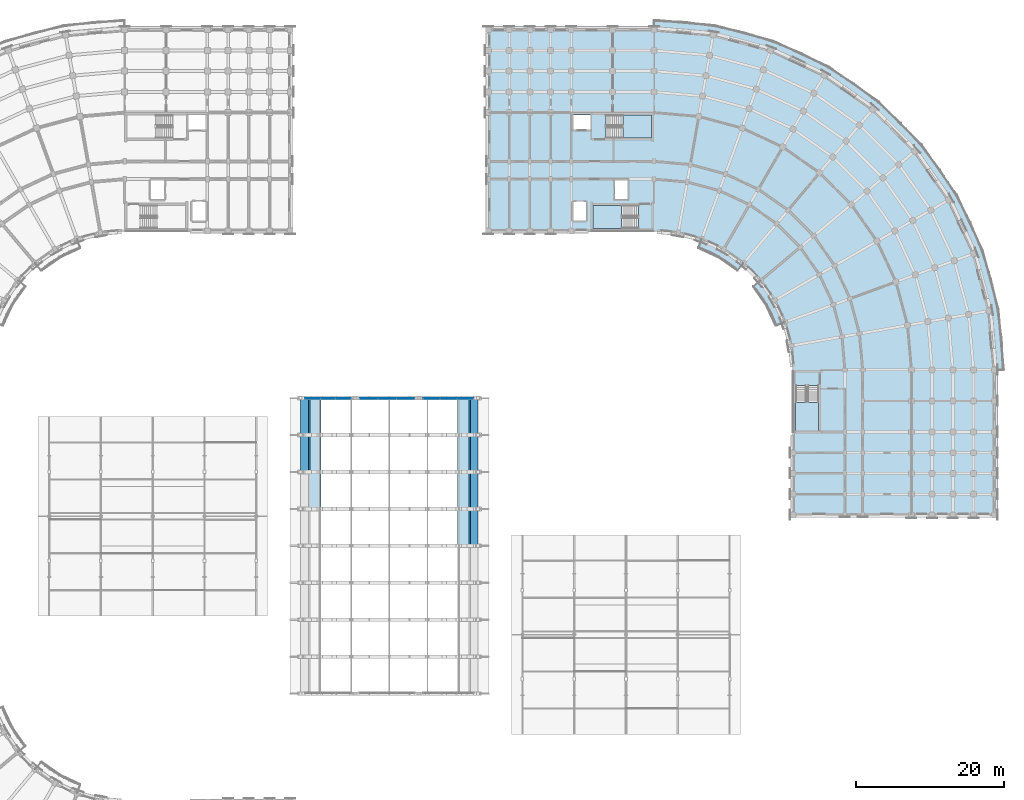
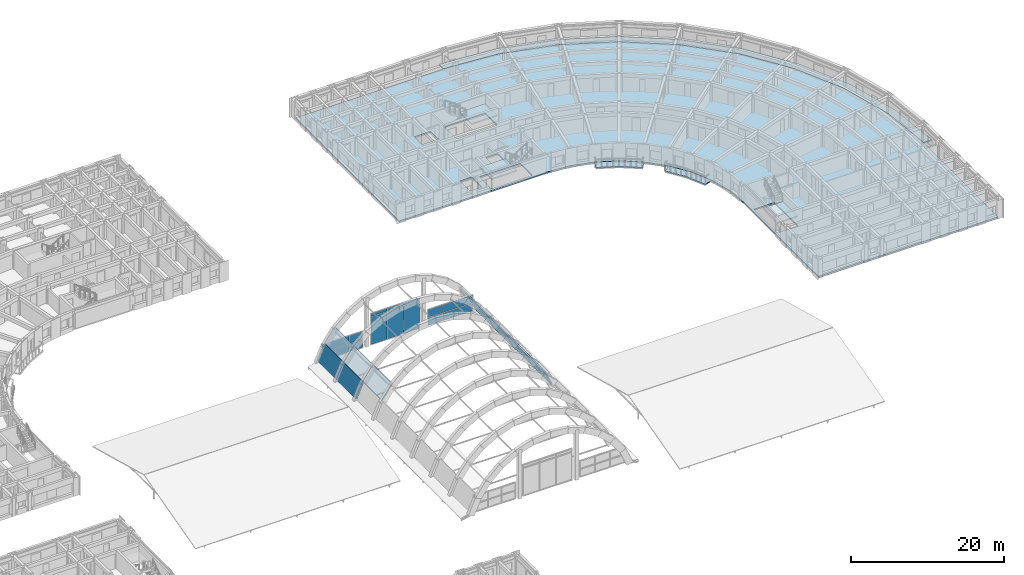
# One storey, part 28 of 76: 20 slabs, 18 plates, 7 elements without a shape of their own.
"""IFC4 building model written with IfcOpenShell, lengths in metres."""

from ifc_helpers import new_model, si_unit, direction, frame, origin, origin_2d, place, context, subcontext, project, spatial, polyline, rectangle, outline, extrude, material, layer, layer_set, type_object, element, aggregate, save


model = new_model("IFC4")

# Units and contexts
model_context = context("Model", 3, precision=1e-05, world=origin(), true_north=direction((0.0, 1.0)))
body_context = subcontext(model_context, "Body", "Model", "MODEL_VIEW")
ifc_project = project(units=[si_unit("LENGTHUNIT", "METRE"), si_unit("AREAUNIT", "SQUARE_METRE"), si_unit("VOLUMEUNIT", "CUBIC_METRE"), si_unit("PLANEANGLEUNIT", "RADIAN"), si_unit("MASSUNIT", "GRAM", prefix="KILO")], contexts=[model_context])

# Site, building, storey
site_placement = place(None, origin())
site = spatial("IfcSite", under=ifc_project, at=site_placement, CompositionType="ELEMENT")
building_placement = place(site_placement, origin())
building = spatial("IfcBuilding", under=site, at=building_placement, Name="Kiranvali Square Residences", CompositionType="ELEMENT")
storey_placement = place(building_placement, frame((0.0, 0.0, 8.699951171875)))
storey = spatial("IfcBuildingStorey", under=building, at=storey_placement, Name="L02", CompositionType="ELEMENT", Elevation=8.699951171875)

# Curtain wall, plates
ifc_material_1 = material(Name="Anodised bronze aluminium framing", Category="aluminium")
curtain_wall_type = type_object("IfcCurtainWallType", Name="CW-CH-TYM", PredefinedType="USERDEFINED", material=ifc_material_1)
curtain_wall_1_placement = place(storey_placement, origin())
curtain_wall_1 = element("IfcCurtainWall", 1, at=curtain_wall_1_placement, inside=storey, type_object=curtain_wall_type, Name="Community Hall N vaulted tympanum glazing 1", ObjectType="CURTAIN WALL", PredefinedType="USERDEFINED")
ifc_material_2 = material(Name="Solar-control low-e double glazing", Category="glass")
ifc_layer_1 = layer(ifc_material_2, 0.028076171875)
ifc_layer_set_1 = layer_set([ifc_layer_1], Name="Solar-control low-e double glazing")
plate_type = type_object("IfcPlateType", Name="PLT-CW-GLZ", PredefinedType="CURTAIN_PANEL", material=ifc_layer_set_1)
plate_1_placement = place(storey_placement, frame((73.63330078125, 83.919921875, 0.10009765625), z_axis=(0.0, 0.0, 1.0), x_axis=(1.0, 0.0, 0.0)))
plate_1 = element("IfcPlate", 2, at=plate_1_placement, type_object=plate_type, Name="CW-CH-TYM-N-1 glazed panel 1.1", PredefinedType="CURTAIN_PANEL", context=body_context, shape_type="SweptSolid", body=[
    extrude(rectangle(XDim=1.98681640625, YDim=0.028076171875, at=origin_2d()), origin(), (0.0, 0.0, 1.0), 1.219970703125),
])
plate_2_placement = place(storey_placement, frame((73.63330078125, 83.919921875, 1.39990234375), z_axis=(0.0, 0.0, 1.0), x_axis=(1.0, 0.0, 0.0)))
plate_2 = element("IfcPlate", 3, at=plate_2_placement, type_object=plate_type, Name="CW-CH-TYM-N-1 glazed panel 1.2", PredefinedType="CURTAIN_PANEL", context=body_context, shape_type="SweptSolid", body=[
    extrude(rectangle(XDim=1.98681640625, YDim=0.028076171875, at=origin_2d()), origin(), (0.0, 0.0, 1.0), 1.219970703125),
])
plate_3_placement = place(storey_placement, frame((75.699951171875, 83.919921875, 0.10009765625), z_axis=(0.0, 0.0, 1.0), x_axis=(1.0, 0.0, 0.0)))
plate_3 = element("IfcPlate", 4, at=plate_3_placement, type_object=plate_type, Name="CW-CH-TYM-N-1 glazed panel 2.1", PredefinedType="CURTAIN_PANEL", context=body_context, shape_type="SweptSolid", body=[
    extrude(rectangle(XDim=1.98681640625, YDim=0.028076171875, at=origin_2d()), origin(), (0.0, 0.0, 1.0), 1.219970703125),
])
plate_4_placement = place(storey_placement, frame((75.699951171875, 83.919921875, 1.39990234375), z_axis=(0.0, 0.0, 1.0), x_axis=(1.0, 0.0, 0.0)))
plate_4 = element("IfcPlate", 5, at=plate_4_placement, type_object=plate_type, Name="CW-CH-TYM-N-1 glazed panel 2.2", PredefinedType="CURTAIN_PANEL", context=body_context, shape_type="SweptSolid", body=[
    extrude(rectangle(XDim=1.98681640625, YDim=0.028076171875, at=origin_2d()), origin(), (0.0, 0.0, 1.0), 1.219970703125),
])
plate_5_placement = place(storey_placement, frame((77.7666015625, 83.919921875, 0.10009765625), z_axis=(0.0, 0.0, 1.0), x_axis=(1.0, 0.0, 0.0)))
plate_5 = element("IfcPlate", 6, at=plate_5_placement, type_object=plate_type, Name="CW-CH-TYM-N-1 glazed panel 3.1", PredefinedType="CURTAIN_PANEL", context=body_context, shape_type="SweptSolid", body=[
    extrude(rectangle(XDim=1.98681640625, YDim=0.028076171875, at=origin_2d()), origin(), (0.0, 0.0, 1.0), 1.219970703125),
])
plate_6_placement = place(storey_placement, frame((77.7666015625, 83.919921875, 1.39990234375), z_axis=(0.0, 0.0, 1.0), x_axis=(1.0, 0.0, 0.0)))
plate_6 = element("IfcPlate", 7, at=plate_6_placement, type_object=plate_type, Name="CW-CH-TYM-N-1 glazed panel 3.2", PredefinedType="CURTAIN_PANEL", context=body_context, shape_type="SweptSolid", body=[
    extrude(rectangle(XDim=1.98681640625, YDim=0.028076171875, at=origin_2d()), origin(), (0.0, 0.0, 1.0), 1.219970703125),
])
aggregate(curtain_wall_1, [plate_1, plate_2, plate_3, plate_4, plate_5, plate_6])

curtain_wall_2_placement = place(storey_placement, origin())
curtain_wall_2 = element("IfcCurtainWall", 8, at=curtain_wall_2_placement, inside=storey, type_object=curtain_wall_type, Name="Community Hall N vaulted tympanum glazing 2", ObjectType="CURTAIN WALL", PredefinedType="USERDEFINED")
plate_7_placement = place(storey_placement, frame((81.2333984375, 83.919921875, 0.10009765625), z_axis=(0.0, 0.0, 1.0), x_axis=(1.0, 0.0, 0.0)))
plate_7 = element("IfcPlate", 9, at=plate_7_placement, type_object=plate_type, Name="CW-CH-TYM-N-2 glazed panel 1.1", PredefinedType="CURTAIN_PANEL", context=body_context, shape_type="SweptSolid", body=[
    extrude(rectangle(XDim=2.38671875, YDim=0.028076171875, at=origin_2d()), origin(), (0.0, 0.0, 1.0), 4.409912109375),
])
plate_8_placement = place(storey_placement, frame((81.2333984375, 83.919921875, 4.58984375), z_axis=(0.0, 0.0, 1.0), x_axis=(1.0, 0.0, 0.0)))
plate_8 = element("IfcPlate", 10, at=plate_8_placement, type_object=plate_type, Name="CW-CH-TYM-N-2 glazed panel 1.2", PredefinedType="CURTAIN_PANEL", context=body_context, shape_type="SweptSolid", body=[
    extrude(rectangle(XDim=2.38671875, YDim=0.028076171875, at=origin_2d()), origin(), (0.0, 0.0, 1.0), 0.429931640625),
])
plate_9_placement = place(storey_placement, frame((83.699951171875, 83.919921875, 0.10009765625), z_axis=(0.0, 0.0, 1.0), x_axis=(1.0, 0.0, 0.0)))
plate_9 = element("IfcPlate", 11, at=plate_9_placement, type_object=plate_type, Name="CW-CH-TYM-N-2 glazed panel 2.1", PredefinedType="CURTAIN_PANEL", context=body_context, shape_type="SweptSolid", body=[
    extrude(rectangle(XDim=2.38671875, YDim=0.028076171875, at=origin_2d()), origin(), (0.0, 0.0, 1.0), 4.409912109375),
])
plate_10_placement = place(storey_placement, frame((83.699951171875, 83.919921875, 4.58984375), z_axis=(0.0, 0.0, 1.0), x_axis=(1.0, 0.0, 0.0)))
plate_10 = element("IfcPlate", 12, at=plate_10_placement, type_object=plate_type, Name="CW-CH-TYM-N-2 glazed panel 2.2", PredefinedType="CURTAIN_PANEL", context=body_context, shape_type="SweptSolid", body=[
    extrude(rectangle(XDim=2.38671875, YDim=0.028076171875, at=origin_2d()), origin(), (0.0, 0.0, 1.0), 0.429931640625),
])
plate_11_placement = place(storey_placement, frame((86.166748046875, 83.919921875, 0.10009765625), z_axis=(0.0, 0.0, 1.0), x_axis=(1.0, 0.0, 0.0)))
plate_11 = element("IfcPlate", 13, at=plate_11_placement, type_object=plate_type, Name="CW-CH-TYM-N-2 glazed panel 3.1", PredefinedType="CURTAIN_PANEL", context=body_context, shape_type="SweptSolid", body=[
    extrude(rectangle(XDim=2.38671875, YDim=0.028076171875, at=origin_2d()), origin(), (0.0, 0.0, 1.0), 4.409912109375),
])
plate_12_placement = place(storey_placement, frame((86.166748046875, 83.919921875, 4.58984375), z_axis=(0.0, 0.0, 1.0), x_axis=(1.0, 0.0, 0.0)))
plate_12 = element("IfcPlate", 14, at=plate_12_placement, type_object=plate_type, Name="CW-CH-TYM-N-2 glazed panel 3.2", PredefinedType="CURTAIN_PANEL", context=body_context, shape_type="SweptSolid", body=[
    extrude(rectangle(XDim=2.38671875, YDim=0.028076171875, at=origin_2d()), origin(), (0.0, 0.0, 1.0), 0.429931640625),
])
aggregate(curtain_wall_2, [plate_7, plate_8, plate_9, plate_10, plate_11, plate_12])

curtain_wall_3_placement = place(storey_placement, origin())
curtain_wall_3 = element("IfcCurtainWall", 15, at=curtain_wall_3_placement, inside=storey, type_object=curtain_wall_type, Name="Community Hall N vaulted tympanum glazing 3", ObjectType="CURTAIN WALL", PredefinedType="USERDEFINED")
plate_13_placement = place(storey_placement, frame((89.7333984375, 83.919921875, 0.10009765625), z_axis=(0.0, 0.0, 1.0), x_axis=(1.0, 0.0, 0.0)))
plate_13 = element("IfcPlate", 16, at=plate_13_placement, type_object=plate_type, Name="CW-CH-TYM-N-3 glazed panel 1.1", PredefinedType="CURTAIN_PANEL", context=body_context, shape_type="SweptSolid", body=[
    extrude(rectangle(XDim=2.186767578125, YDim=0.028076171875, at=origin_2d()), origin(), (0.0, 0.0, 1.0), 1.219970703125),
])
plate_14_placement = place(storey_placement, frame((89.7333984375, 83.919921875, 1.39990234375), z_axis=(0.0, 0.0, 1.0), x_axis=(1.0, 0.0, 0.0)))
plate_14 = element("IfcPlate", 17, at=plate_14_placement, type_object=plate_type, Name="CW-CH-TYM-N-3 glazed panel 1.2", PredefinedType="CURTAIN_PANEL", context=body_context, shape_type="SweptSolid", body=[
    extrude(rectangle(XDim=2.186767578125, YDim=0.028076171875, at=origin_2d()), origin(), (0.0, 0.0, 1.0), 1.219970703125),
])
plate_15_placement = place(storey_placement, frame((92.0, 83.919921875, 0.10009765625), z_axis=(0.0, 0.0, 1.0), x_axis=(1.0, 0.0, 0.0)))
plate_15 = element("IfcPlate", 18, at=plate_15_placement, type_object=plate_type, Name="CW-CH-TYM-N-3 glazed panel 2.1", PredefinedType="CURTAIN_PANEL", context=body_context, shape_type="SweptSolid", body=[
    extrude(rectangle(XDim=2.186767578125, YDim=0.028076171875, at=origin_2d()), origin(), (0.0, 0.0, 1.0), 1.219970703125),
])
plate_16_placement = place(storey_placement, frame((92.0, 83.919921875, 1.39990234375), z_axis=(0.0, 0.0, 1.0), x_axis=(1.0, 0.0, 0.0)))
plate_16 = element("IfcPlate", 19, at=plate_16_placement, type_object=plate_type, Name="CW-CH-TYM-N-3 glazed panel 2.2", PredefinedType="CURTAIN_PANEL", context=body_context, shape_type="SweptSolid", body=[
    extrude(rectangle(XDim=2.186767578125, YDim=0.028076171875, at=origin_2d()), origin(), (0.0, 0.0, 1.0), 1.219970703125),
])
plate_17_placement = place(storey_placement, frame((94.2666015625, 83.919921875, 0.10009765625), z_axis=(0.0, 0.0, 1.0), x_axis=(1.0, 0.0, 0.0)))
plate_17 = element("IfcPlate", 20, at=plate_17_placement, type_object=plate_type, Name="CW-CH-TYM-N-3 glazed panel 3.1", PredefinedType="CURTAIN_PANEL", context=body_context, shape_type="SweptSolid", body=[
    extrude(rectangle(XDim=2.186767578125, YDim=0.028076171875, at=origin_2d()), origin(), (0.0, 0.0, 1.0), 1.219970703125),
])
plate_18_placement = place(storey_placement, frame((94.2666015625, 83.919921875, 1.39990234375), z_axis=(0.0, 0.0, 1.0), x_axis=(1.0, 0.0, 0.0)))
plate_18 = element("IfcPlate", 21, at=plate_18_placement, type_object=plate_type, Name="CW-CH-TYM-N-3 glazed panel 3.2", PredefinedType="CURTAIN_PANEL", context=body_context, shape_type="SweptSolid", body=[
    extrude(rectangle(XDim=2.186767578125, YDim=0.028076171875, at=origin_2d()), origin(), (0.0, 0.0, 1.0), 1.219970703125),
])
aggregate(curtain_wall_3, [plate_13, plate_14, plate_15, plate_16, plate_17, plate_18])

# Slabs
ifc_material_3 = material(Name="Concrete M35 (35 MPa)", Category="concrete")
ifc_layer_2 = layer(ifc_material_3, 0.179931640625)
ifc_layer_set_2 = layer_set([ifc_layer_2], Name="Concrete M35 (35 MPa)")
slab_type_1 = type_object("IfcSlabType", Name="SLB-BAL-180", PredefinedType="FLOOR", material=ifc_layer_set_2)
slab_1_placement = place(storey_placement, frame((0.0, 0.0, -0.179931640625)))
element("IfcSlab", 22, at=slab_1_placement, inside=storey, type_object=slab_type_1, Name="Block B L02 continuous curved corner balcony slab", PredefinedType="FLOOR", context=body_context, shape_type="SweptSolid", body=[
    extrude(outline(polyline([(119.800048828125, 133.800048828125), (127.787841796875, 133.10107421875), (135.532958984375, 131.02587890625), (142.800048828125, 127.63720703125), (149.3681640625, 123.0380859375), (155.0380859375, 117.3681640625), (159.63720703125, 110.800048828125), (163.02587890625, 103.532958984375), (165.10107421875, 95.787841796875), (165.800048828125, 87.800048828125), (167.050048828125, 87.800048828125), (166.332275390625, 96.0048828125), (164.200439453125, 103.96044921875), (160.7197265625, 111.425048828125), (155.99560546875, 118.171630859375), (150.171630859375, 123.99560546875), (143.425048828125, 128.7197265625), (135.96044921875, 132.200439453125), (128.0048828125, 134.332275390625), (119.800048828125, 135.050048828125), (119.800048828125, 133.800048828125)])), origin(), (0.0, 0.0, 1.0), 0.179931640625),
])
ifc_layer_3 = layer(ifc_material_3, 0.22998046875)
ifc_layer_set_3 = layer_set([ifc_layer_3], Name="Concrete M35 (35 MPa)")
slab_type_2 = type_object("IfcSlabType", Name="SLB-FLR-230", PredefinedType="FLOOR", material=ifc_layer_set_3)
slab_2_placement = place(storey_placement, frame((0.0, 0.0, -0.22998046875)))
element("IfcSlab", 23, at=slab_2_placement, inside=storey, type_object=slab_type_2, Name="Block B L02 structural floor slab", PredefinedType="FLOOR", context=body_context, shape_type="SweptSolid", body=[
    extrude(outline(polyline([(119.800048828125, 106.60009765625), (123.064697265625, 106.314453125), (126.22998046875, 105.46630859375), (129.199951171875, 104.081298828125), (131.884521484375, 102.20166015625), (134.20166015625, 99.884521484375), (136.081298828125, 97.199951171875), (137.46630859375, 94.22998046875), (138.314453125, 91.064697265625), (138.60009765625, 87.800048828125), (138.60009765625, 68.199951171875), (165.800048828125, 68.199951171875), (165.800048828125, 87.800048828125), (165.10107421875, 95.787841796875), (163.02587890625, 103.532958984375), (159.63720703125, 110.800048828125), (155.0380859375, 117.3681640625), (149.3681640625, 123.0380859375), (142.800048828125, 127.63720703125), (135.532958984375, 131.02587890625), (127.787841796875, 133.10107421875), (119.800048828125, 133.800048828125), (97.39990234375, 133.800048828125), (97.39990234375, 106.60009765625), (119.800048828125, 106.60009765625)]), holes=[polyline([(108.75, 120.25), (111.199951171875, 120.25), (111.199951171875, 122.25), (108.75, 122.25), (108.75, 120.25)]), polyline([(108.85009765625, 107.949951171875), (110.64990234375, 107.949951171875), (110.64990234375, 110.550048828125), (108.85009765625, 110.550048828125), (108.85009765625, 107.949951171875)]), polyline([(114.449951171875, 110.85009765625), (116.25, 110.85009765625), (116.25, 113.449951171875), (114.449951171875, 113.449951171875), (114.449951171875, 110.85009765625)]), polyline([(113.300048828125, 119.14990234375), (119.449951171875, 119.14990234375), (119.449951171875, 122.25), (113.300048828125, 122.25), (113.300048828125, 119.14990234375)]), polyline([(117.699951171875, 110.050048828125), (111.550048828125, 110.050048828125), (111.550048828125, 106.949951171875), (117.699951171875, 106.949951171875), (117.699951171875, 110.050048828125)]), polyline([(138.949951171875, 85.699951171875), (138.949951171875, 79.550048828125), (142.050048828125, 79.550048828125), (142.050048828125, 85.699951171875), (138.949951171875, 85.699951171875)])]), origin(), (0.0, 0.0, 1.0), 0.22998046875),
])
ifc_layer_4 = layer(ifc_material_3, 0.169921875)
ifc_layer_set_4 = layer_set([ifc_layer_4], Name="Concrete M35 (35 MPa)")
slab_type_3 = type_object("IfcSlabType", Name="SLB-GBAL-170", PredefinedType="FLOOR", material=ifc_layer_set_4)
slab_3_placement = place(storey_placement, frame((0.0, 0.0, -0.179931640625)))
element("IfcSlab", 24, at=slab_3_placement, inside=storey, type_object=slab_type_3, Name="Block B L02 garden balcony slab 1", PredefinedType="FLOOR", context=body_context, shape_type="SweptSolid", body=[
    extrude(outline(polyline([(125.802490234375, 104.29150390625), (128.574951171875, 102.998779296875), (131.080810546875, 101.244140625), (131.884521484375, 102.20166015625), (129.199951171875, 104.081298828125), (126.22998046875, 105.46630859375), (125.802490234375, 104.29150390625)])), origin(), (0.0, 0.0, 1.0), 0.179931640625),
])
slab_4_placement = place(storey_placement, frame((0.0, 0.0, -0.179931640625)))
element("IfcSlab", 25, at=slab_4_placement, inside=storey, type_object=slab_type_3, Name="Block B L02 garden balcony slab 2", PredefinedType="FLOOR", context=body_context, shape_type="SweptSolid", body=[
    extrude(outline(polyline([(133.244140625, 99.080810546875), (134.998779296875, 96.574951171875), (136.29150390625, 93.802490234375), (137.46630859375, 94.22998046875), (136.081298828125, 97.199951171875), (134.20166015625, 99.884521484375), (133.244140625, 99.080810546875)])), origin(), (0.0, 0.0, 1.0), 0.179931640625),
])

# Stair, slab
stair_type = type_object("IfcStairType", Name="ST-CORE-1700", PredefinedType="HALF_TURN_STAIR", material=ifc_material_3)
stair_1_placement = place(storey_placement, origin())
stair_1 = element("IfcStair", 26, at=stair_1_placement, inside=storey, type_object=stair_type, Name="L02 Block B Firefighting Exit Stair 1", PredefinedType="HALF_TURN_STAIR")
ifc_layer_5 = layer(ifc_material_3, 0.199951171875)
ifc_layer_set_5 = layer_set([ifc_layer_5], Name="Concrete M35 (35 MPa)")
slab_type_4 = type_object("IfcSlabType", Name="SLB-LND-200", PredefinedType="LANDING", material=ifc_layer_set_5)
slab_5_placement = place(storey_placement, frame((0.0, 0.0, 1.375)))
slab_5 = element("IfcSlab", 27, at=slab_5_placement, type_object=slab_type_4, Name="ST-B1 landing 1", PredefinedType="LANDING", context=body_context, shape_type="SweptSolid", body=[
    extrude(outline(polyline([(115.580078125, 119.14990234375), (119.449951171875, 119.14990234375), (119.449951171875, 122.25), (115.580078125, 122.25), (115.580078125, 119.14990234375)])), origin(), (0.0, 0.0, 1.0), 0.199951171875),
])
aggregate(stair_1, [slab_5])

stair_2_placement = place(storey_placement, origin())
stair_2 = element("IfcStair", 28, at=stair_2_placement, inside=storey, type_object=stair_type, Name="L02 Block B Protected Exit Stair 2", PredefinedType="HALF_TURN_STAIR")
slab_6_placement = place(storey_placement, frame((0.0, 0.0, 1.375)))
slab_6 = element("IfcSlab", 29, at=slab_6_placement, type_object=slab_type_4, Name="ST-B2 landing 1", PredefinedType="LANDING", context=body_context, shape_type="SweptSolid", body=[
    extrude(outline(polyline([(115.419921875, 110.050048828125), (111.550048828125, 110.050048828125), (111.550048828125, 106.949951171875), (115.419921875, 106.949951171875), (115.419921875, 110.050048828125)])), origin(), (0.0, 0.0, 1.0), 0.199951171875),
])
aggregate(stair_2, [slab_6])

stair_3_placement = place(storey_placement, origin())
stair_3 = element("IfcStair", 30, at=stair_3_placement, inside=storey, type_object=stair_type, Name="L02 Block B Wing Protected Exit Stair 3", PredefinedType="HALF_TURN_STAIR")
slab_7_placement = place(storey_placement, frame((0.0, 0.0, 1.375)))
slab_7 = element("IfcSlab", 31, at=slab_7_placement, type_object=slab_type_4, Name="ST-B3 landing 1", PredefinedType="LANDING", context=body_context, shape_type="SweptSolid", body=[
    extrude(outline(polyline([(138.949951171875, 83.419921875), (138.949951171875, 79.550048828125), (142.050048828125, 79.550048828125), (142.050048828125, 83.419921875), (138.949951171875, 83.419921875)])), origin(), (0.0, 0.0, 1.0), 0.199951171875),
])
aggregate(stair_3, [slab_7])

# Roof, slabs
ifc_material_4 = material(Name="Concrete M45 (45 MPa)", Category="concrete")
roof_type = type_object("IfcRoofType", Name="RF-BARREL-VAULT", PredefinedType="BARREL_ROOF", material=ifc_material_4)
roof_placement = place(storey_placement, origin())
roof = element("IfcRoof", 32, at=roof_placement, inside=storey, type_object=roof_type, Name="Community Hall Exposed-Rib Barrel Vault Roof", PredefinedType="BARREL_ROOF")
ifc_layer_6 = layer(ifc_material_4, 0.199951171875)
ifc_layer_set_6 = layer_set([ifc_layer_6], Name="Concrete M45 (45 MPa)")
slab_type_5 = type_object("IfcSlabType", Name="SLB-VLT-200", PredefinedType="ROOF", material=ifc_layer_set_6)
slab_8_placement = place(storey_placement, frame((93.402099609375, 64.0, 4.778564453125), z_axis=(0.812933113734, 0.0, 0.582357066236), x_axis=(0.582357066236, 0.0, -0.812933113734)))
slab_8 = element("IfcSlab", 33, at=slab_8_placement, type_object=slab_type_5, Name="Community Hall barrel-vault shell strip 5.11", PredefinedType="ROOF", context=body_context, shape_type="SweptSolid", body=[
    extrude(outline(polyline([(0.0, 0.0), (2.640719733711483, 0.0), (2.640719733711483, 5.0), (0.0, 5.0), (0.0, 0.0)])), origin(), (0.0, 0.0, -1.0), 0.199951171875),
])
slab_9_placement = place(storey_placement, frame((94.94384765625, 64.0, 2.624755859375), z_axis=(0.916824427597, 0.0, 0.39929058211), x_axis=(0.39929058211, 0.0, -0.916824427597)))
slab_9 = element("IfcSlab", 34, at=slab_9_placement, type_object=slab_type_5, Name="Community Hall barrel-vault shell strip 5.12", PredefinedType="ROOF", context=body_context, shape_type="SweptSolid", body=[
    extrude(outline(polyline([(0.0, 0.0), (2.6407919610866375, 0.0), (2.6407919610866375, 5.0), (0.0, 5.0), (0.0, 0.0)])), origin(), (0.0, 0.0, -1.0), 0.199951171875),
])
slab_10_placement = place(storey_placement, frame((73.06005859375, 69.0, 2.6318359375), z_axis=(-0.812933113734, 0.0, 0.582357066236), x_axis=(0.582357066236, 0.0, 0.812933113734)))
slab_10 = element("IfcSlab", 35, at=slab_10_placement, type_object=slab_type_5, Name="Community Hall barrel-vault shell strip 6.2", PredefinedType="ROOF", context=body_context, shape_type="SweptSolid", body=[
    extrude(outline(polyline([(0.0, 0.0), (2.640719733711483, 0.0), (2.640719733711483, 5.0), (0.0, 5.0), (0.0, 0.0)])), origin(), (0.0, 0.0, -1.0), 0.199951171875),
])
slab_11_placement = place(storey_placement, frame((93.402099609375, 69.0, 4.778564453125), z_axis=(0.812933113734, 0.0, 0.582357066236), x_axis=(0.582357066236, 0.0, -0.812933113734)))
slab_11 = element("IfcSlab", 36, at=slab_11_placement, type_object=slab_type_5, Name="Community Hall barrel-vault shell strip 6.11", PredefinedType="ROOF", context=body_context, shape_type="SweptSolid", body=[
    extrude(outline(polyline([(0.0, 0.0), (2.640719733711483, 0.0), (2.640719733711483, 5.0), (0.0, 5.0), (0.0, 0.0)])), origin(), (0.0, 0.0, -1.0), 0.199951171875),
])
slab_12_placement = place(storey_placement, frame((94.94384765625, 69.0, 2.624755859375), z_axis=(0.916824427597, 0.0, 0.39929058211), x_axis=(0.39929058211, 0.0, -0.916824427597)))
slab_12 = element("IfcSlab", 37, at=slab_12_placement, type_object=slab_type_5, Name="Community Hall barrel-vault shell strip 6.12", PredefinedType="ROOF", context=body_context, shape_type="SweptSolid", body=[
    extrude(outline(polyline([(0.0, 0.0), (2.6407919610866375, 0.0), (2.6407919610866375, 5.0), (0.0, 5.0), (0.0, 0.0)])), origin(), (0.0, 0.0, -1.0), 0.199951171875),
])
slab_13_placement = place(storey_placement, frame((72.001708984375, 74.0, 0.20361328125), z_axis=(-0.916824427597, 0.0, 0.39929058211), x_axis=(0.39929058211, 0.0, 0.916824427597)))
slab_13 = element("IfcSlab", 38, at=slab_13_placement, type_object=slab_type_5, Name="Community Hall barrel-vault shell strip 7.1", PredefinedType="ROOF", context=body_context, shape_type="SweptSolid", body=[
    extrude(outline(polyline([(0.0, 0.0), (2.6407919610866375, 0.0), (2.6407919610866375, 5.0), (0.0, 5.0), (0.0, 0.0)])), origin(), (0.0, 0.0, -1.0), 0.199951171875),
])
slab_14_placement = place(storey_placement, frame((73.06005859375, 74.0, 2.6318359375), z_axis=(-0.812933113734, 0.0, 0.582357066236), x_axis=(0.582357066236, 0.0, 0.812933113734)))
slab_14 = element("IfcSlab", 39, at=slab_14_placement, type_object=slab_type_5, Name="Community Hall barrel-vault shell strip 7.2", PredefinedType="ROOF", context=body_context, shape_type="SweptSolid", body=[
    extrude(outline(polyline([(0.0, 0.0), (2.640719733711483, 0.0), (2.640719733711483, 5.0), (0.0, 5.0), (0.0, 0.0)])), origin(), (0.0, 0.0, -1.0), 0.199951171875),
])
slab_15_placement = place(storey_placement, frame((93.402099609375, 74.0, 4.778564453125), z_axis=(0.812933113734, 0.0, 0.582357066236), x_axis=(0.582357066236, 0.0, -0.812933113734)))
slab_15 = element("IfcSlab", 40, at=slab_15_placement, type_object=slab_type_5, Name="Community Hall barrel-vault shell strip 7.11", PredefinedType="ROOF", context=body_context, shape_type="SweptSolid", body=[
    extrude(outline(polyline([(0.0, 0.0), (2.640719733711483, 0.0), (2.640719733711483, 5.0), (0.0, 5.0), (0.0, 0.0)])), origin(), (0.0, 0.0, -1.0), 0.199951171875),
])
slab_16_placement = place(storey_placement, frame((94.94384765625, 74.0, 2.624755859375), z_axis=(0.916824427597, 0.0, 0.39929058211), x_axis=(0.39929058211, 0.0, -0.916824427597)))
slab_16 = element("IfcSlab", 41, at=slab_16_placement, type_object=slab_type_5, Name="Community Hall barrel-vault shell strip 7.12", PredefinedType="ROOF", context=body_context, shape_type="SweptSolid", body=[
    extrude(outline(polyline([(0.0, 0.0), (2.6407919610866375, 0.0), (2.6407919610866375, 5.0), (0.0, 5.0), (0.0, 0.0)])), origin(), (0.0, 0.0, -1.0), 0.199951171875),
])
slab_17_placement = place(storey_placement, frame((72.001708984375, 79.0, 0.20361328125), z_axis=(-0.916824427597, 0.0, 0.39929058211), x_axis=(0.39929058211, 0.0, 0.916824427597)))
slab_17 = element("IfcSlab", 42, at=slab_17_placement, type_object=slab_type_5, Name="Community Hall barrel-vault shell strip 8.1", PredefinedType="ROOF", context=body_context, shape_type="SweptSolid", body=[
    extrude(outline(polyline([(0.0, 0.0), (2.6407919610866375, 0.0), (2.6407919610866375, 5.0), (0.0, 5.0), (0.0, 0.0)])), origin(), (0.0, 0.0, -1.0), 0.199951171875),
])
slab_18_placement = place(storey_placement, frame((73.06005859375, 79.0, 2.6318359375), z_axis=(-0.812933113734, 0.0, 0.582357066236), x_axis=(0.582357066236, 0.0, 0.812933113734)))
slab_18 = element("IfcSlab", 43, at=slab_18_placement, type_object=slab_type_5, Name="Community Hall barrel-vault shell strip 8.2", PredefinedType="ROOF", context=body_context, shape_type="SweptSolid", body=[
    extrude(outline(polyline([(0.0, 0.0), (2.640719733711483, 0.0), (2.640719733711483, 5.0), (0.0, 5.0), (0.0, 0.0)])), origin(), (0.0, 0.0, -1.0), 0.199951171875),
])
slab_19_placement = place(storey_placement, frame((93.402099609375, 79.0, 4.778564453125), z_axis=(0.812933113734, 0.0, 0.582357066236), x_axis=(0.582357066236, 0.0, -0.812933113734)))
slab_19 = element("IfcSlab", 44, at=slab_19_placement, type_object=slab_type_5, Name="Community Hall barrel-vault shell strip 8.11", PredefinedType="ROOF", context=body_context, shape_type="SweptSolid", body=[
    extrude(outline(polyline([(0.0, 0.0), (2.640719733711483, 0.0), (2.640719733711483, 5.0), (0.0, 5.0), (0.0, 0.0)])), origin(), (0.0, 0.0, -1.0), 0.199951171875),
])
slab_20_placement = place(storey_placement, frame((94.94384765625, 79.0, 2.624755859375), z_axis=(0.916824427597, 0.0, 0.39929058211), x_axis=(0.39929058211, 0.0, -0.916824427597)))
slab_20 = element("IfcSlab", 45, at=slab_20_placement, type_object=slab_type_5, Name="Community Hall barrel-vault shell strip 8.12", PredefinedType="ROOF", context=body_context, shape_type="SweptSolid", body=[
    extrude(outline(polyline([(0.0, 0.0), (2.6407919610866375, 0.0), (2.6407919610866375, 5.0), (0.0, 5.0), (0.0, 0.0)])), origin(), (0.0, 0.0, -1.0), 0.199951171875),
])
aggregate(roof, [slab_8, slab_9, slab_10, slab_11, slab_12, slab_13, slab_14, slab_15, slab_16, slab_17, slab_18, slab_19, slab_20])

save(model, "model.ifc")
